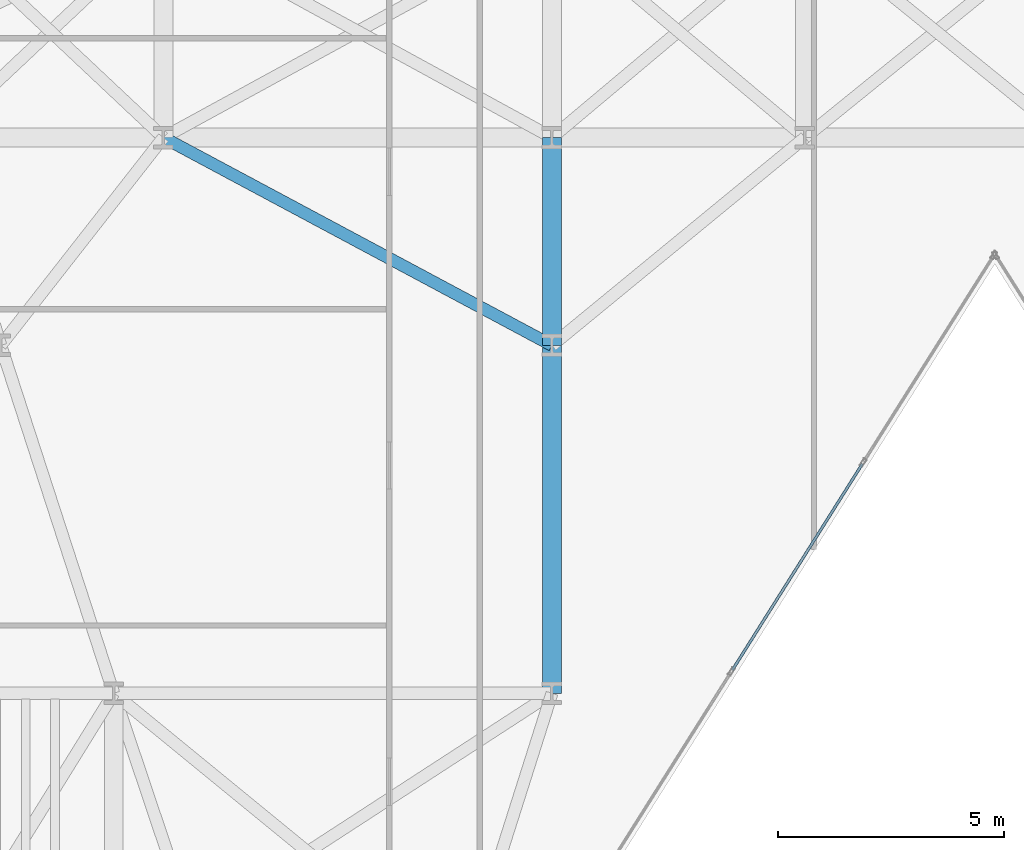
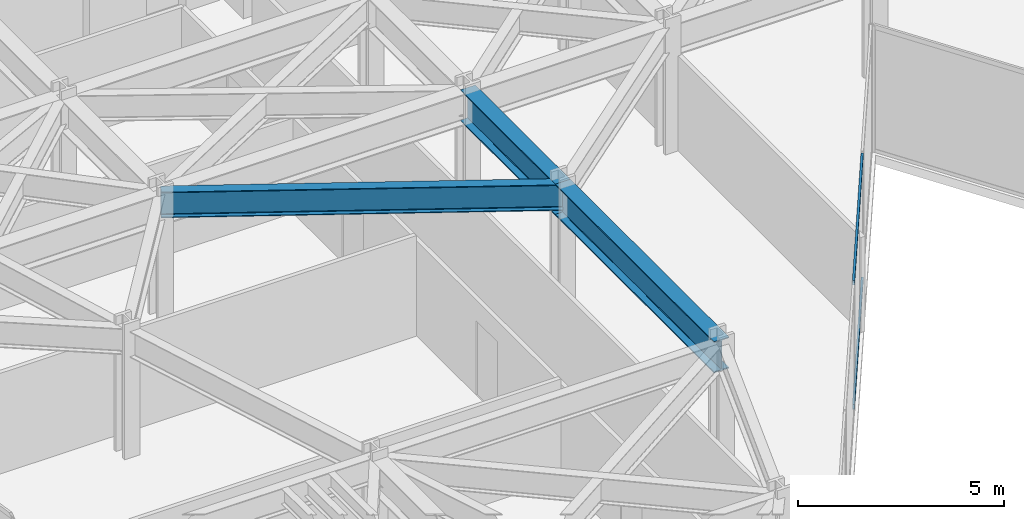
# One storey, part 9 of 24: 3 beams, 2 members, 1 element without a shape of its own.
"""IFC4 building model written with IfcOpenShell, lengths in metres."""

from ifc_helpers import new_model, si_unit, direction, frame, origin, origin_2d, place, context, subcontext, project, spatial, hollow_rectangle, i_section, extrude, material, layer, layer_set, material_profile, profile_set, type_object, element, aggregate, save


model = new_model("IFC4")

# Units and contexts
model_context = context("Model", 3, precision=1e-05, world=origin(), true_north=direction((0.0, 1.0)))
body_context = subcontext(model_context, "Body", "Model", "MODEL_VIEW")
ifc_project = project(units=[si_unit("LENGTHUNIT", "METRE"), si_unit("AREAUNIT", "SQUARE_METRE"), si_unit("VOLUMEUNIT", "CUBIC_METRE"), si_unit("PLANEANGLEUNIT", "RADIAN"), si_unit("MASSUNIT", "GRAM", prefix="KILO")], contexts=[model_context])

# Site, building, storey
site_placement = place(None, origin())
site = spatial("IfcSite", under=ifc_project, at=site_placement, CompositionType="ELEMENT")
building_placement = place(site_placement, origin())
building = spatial("IfcBuilding", under=site, at=building_placement, Name="Kravanh Interchange Tower", CompositionType="ELEMENT")
storey_placement = place(building_placement, frame((0.0, 0.0, 61.5)))
storey = spatial("IfcBuildingStorey", under=building, at=storey_placement, Name="L14", CompositionType="ELEMENT", Elevation=61.5)

# Curtain wall, members
ifc_material_1 = material(Name="Anodised Bronze Aluminium", Category="aluminium")
ifc_layer = layer(ifc_material_1, 0.179931640625)
ifc_layer_set = layer_set([ifc_layer], Name="Unitised Curtain Wall System CW-Z1 Lower Office")
curtain_wall_type = type_object("IfcCurtainWallType", Name="Unitised Curtain Wall System CW-Z1 Lower Office", PredefinedType="NOTDEFINED", material=ifc_layer_set)
curtain_wall_placement = place(storey_placement, origin())
curtain_wall = element("IfcCurtainWall", 1, at=curtain_wall_placement, inside=storey, type_object=curtain_wall_type, Name="L14 Unitised Curtain Wall CW-L14-05", PredefinedType="NOTDEFINED")
ifc_material_2 = material(Name="Anodised Bronze Aluminium", Category="aluminium")
ifc_material_profile_1 = material_profile(ifc_material_2, hollow_rectangle(XDim=0.06005859375, YDim=0.139892578125, WallThickness=0.00390625, at=origin_2d()), Name="ALU60X140X4")
ifc_profile_set_1 = profile_set([ifc_material_profile_1], Name="Anodised Bronze Aluminium")
member_type = type_object("IfcMemberType", Name="Curtain Wall Transom ALU60X140X4 Bronze", PredefinedType="USERDEFINED", material=ifc_profile_set_1)
member_1_placement = place(storey_placement, frame((34.068115234375, 19.574462890625, 0.030029296875), z_axis=(-0.533311487456, -0.84591894254, 0.0), x_axis=(0.84591894254, -0.533311487456, 0.0)))
member_1 = element("IfcMember", 2, at=member_1_placement, type_object=member_type, Name="CW-Z1 transom 2.1", ObjectType="TRANSOM", PredefinedType="USERDEFINED", context=body_context, shape_type="SweptSolid", body=[
    extrude(hollow_rectangle(XDim=0.06005859375, YDim=0.139892578125, WallThickness=0.00390625, at=origin_2d()), origin(), (0.0, 0.0, 1.0), 5.392578125),
])
member_2_placement = place(storey_placement, frame((34.068115234375, 19.574462890625, 3.7099609375), z_axis=(-0.533311487456, -0.84591894254, 0.0), x_axis=(0.84591894254, -0.533311487456, 0.0)))
member_2 = element("IfcMember", 3, at=member_2_placement, type_object=member_type, Name="CW-Z1 transom 2.2", ObjectType="TRANSOM", PredefinedType="USERDEFINED", context=body_context, shape_type="SweptSolid", body=[
    extrude(hollow_rectangle(XDim=0.06005859375, YDim=0.139892578125, WallThickness=0.00390625, at=origin_2d()), origin(), (0.0, 0.0, 1.0), 5.392578125),
])
aggregate(curtain_wall, [member_1, member_2])

# Beams
ifc_material_3 = material(Name="Structural Steel S355", Category="steel")
ifc_material_profile_2 = material_profile(ifc_material_3, i_section(OverallWidth=0.41796875, OverallDepth=0.927001953125, WebThickness=0.019287109375, FlangeThickness=0.031982421875, FilletRadius=0.028076171875, at=origin_2d()), Name="W36X231")
ifc_profile_set_2 = profile_set([ifc_material_profile_2], Name="Structural Steel S355")
beam_type_1 = type_object("IfcBeamType", Name="Floor Beam W36X231 Structural Steel S355", PredefinedType="BEAM", material=ifc_profile_set_2)
beam_1_placement = place(storey_placement, frame((27.199951171875, 22.199951171875, 3.276611328125), z_axis=(0.0, 1.0, 0.0), x_axis=(-1.0, 0.0, 0.0)))
element("IfcBeam", 4, at=beam_1_placement, inside=storey, type_object=beam_type_1, Name="L14 Primary Floor Girder 54", PredefinedType="BEAM", context=body_context, shape_type="SweptSolid", body=[
    extrude(i_section(OverallWidth=0.41796875, OverallDepth=0.927001953125, WebThickness=0.019287109375, FlangeThickness=0.031982421875, FilletRadius=0.028076171875, at=origin_2d()), origin(), (0.0, 0.0, 1.0), 4.60009765625),
])
beam_2_placement = place(storey_placement, frame((27.199951171875, 22.199951171875, 3.276611328125), z_axis=(0.0, -1.0, 0.0), x_axis=(1.0, 0.0, 0.0)))
element("IfcBeam", 5, at=beam_2_placement, inside=storey, type_object=beam_type_1, Name="L14 Primary Floor Girder 56", PredefinedType="BEAM", context=body_context, shape_type="SweptSolid", body=[
    extrude(i_section(OverallWidth=0.41796875, OverallDepth=0.927001953125, WebThickness=0.019287109375, FlangeThickness=0.031982421875, FilletRadius=0.028076171875, at=origin_2d()), origin(), (0.0, 0.0, 1.0), 7.699951171875),
])
ifc_material_4 = material(Name="Structural Steel S355", Category="steel")
ifc_material_profile_3 = material_profile(ifc_material_4, i_section(OverallWidth=0.26708984375, OverallDepth=0.761962890625, WebThickness=0.014404296875, FlangeThickness=0.021484375, FilletRadius=0.02490234375, at=origin_2d()), Name="W30X116")
ifc_profile_set_3 = profile_set([ifc_material_profile_3], Name="Structural Steel S355")
beam_type_2 = type_object("IfcBeamType", Name="Floor Spandrel W30X116 Structural Steel S355", PredefinedType="SPANDREL", material=ifc_profile_set_3)
beam_3_placement = place(storey_placement, frame((27.199951171875, 22.199951171875, 3.35888671875), z_axis=(-0.881777136221, 0.471666282489, 0.0), x_axis=(-0.471666282489, -0.881777136221, 0.0)))
element("IfcBeam", 6, at=beam_3_placement, inside=storey, type_object=beam_type_2, Name="L14 Perimeter Spandrel 57", PredefinedType="SPANDREL", context=body_context, shape_type="SweptSolid", body=[
    extrude(i_section(OverallWidth=0.26708984375, OverallDepth=0.761962890625, WebThickness=0.014404296875, FlangeThickness=0.021484375, FilletRadius=0.02490234375, at=origin_2d()), origin(), (0.0, 0.0, 1.0), 9.7529296875),
])

save(model, "model.ifc")
